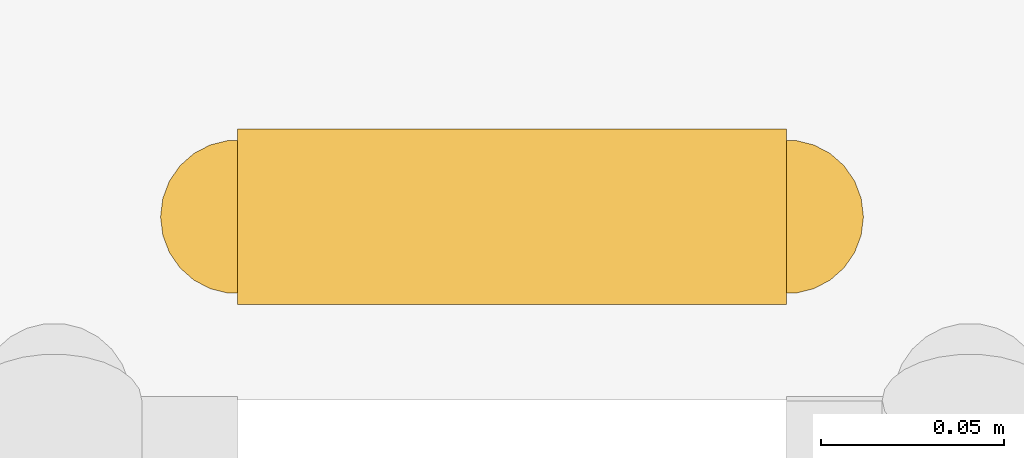
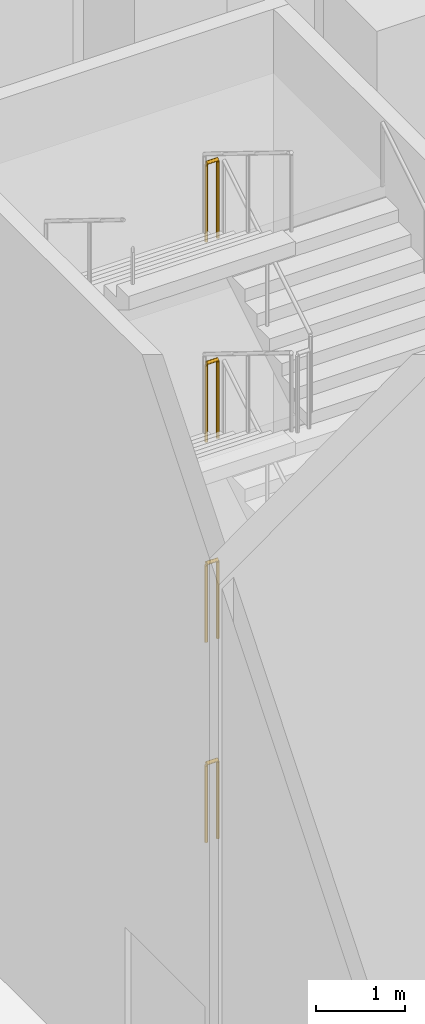
# One storey, part 31 of 31: 4 railings.
"""IFC4 building model written with IfcOpenShell, lengths in metres."""

from ifc_helpers import new_model, si_unit, direction, frame, origin, origin_2d, place, context, subcontext, project, spatial, circle, extrude, material, type_object, element, save


model = new_model("IFC4")

# Units and contexts
model_context = context("Model", 3, precision=1e-05, world=origin(), true_north=direction((0.0, 1.0)))
body_context = subcontext(model_context, "Body", "Model", "MODEL_VIEW")
ifc_project = project(units=[si_unit("LENGTHUNIT", "METRE"), si_unit("AREAUNIT", "SQUARE_METRE"), si_unit("VOLUMEUNIT", "CUBIC_METRE"), si_unit("PLANEANGLEUNIT", "RADIAN"), si_unit("MASSUNIT", "GRAM", prefix="KILO")], contexts=[model_context])

# Site, building, storey
site_placement = place(None, origin())
site = spatial("IfcSite", under=ifc_project, at=site_placement, CompositionType="ELEMENT")
building_placement = place(site_placement, origin())
building = spatial("IfcBuilding", under=site, at=building_placement, Name="Calabash Gate Tower", CompositionType="ELEMENT")
storey_placement = place(building_placement, frame((0.0, 0.0, 9.0)))
storey = spatial("IfcBuildingStorey", under=building, at=storey_placement, Name="L01", CompositionType="ELEMENT", Elevation=9.0)

# Railings
ifc_material = material(Name="Black powder-coated steel balusters", Category="steel")
railing_type = type_object("IfcRailingType", Name="Stair guard RL1100", PredefinedType="GUARDRAIL", material=ifc_material)
for number, where, name in (
    (1, (36.010009765625, 18.1630859375, 1.375), "L01 PS10 stair guard 2"),
    (2, (36.010009765625, 18.1630859375, 4.125), "L01 PS10 stair guard 6"),
    (3, (36.010009765625, 18.1630859375, 6.875), "L01 PS10 stair guard 10"),
    (4, (36.010009765625, 18.1630859375, 9.625), "L01 PS10 stair guard 14"),
):
    element("IfcRailing", number, at=place(storey_placement, frame(where)), inside=storey, type_object=railing_type, Name=name, PredefinedType="GUARDRAIL", context=body_context, shape_type="SweptSolid", body=[
        extrude(circle(Radius=0.02392578125, at=origin_2d()), frame((0.0, 0.0, 1.076171875), z_axis=(-1.0, 0.0, 0.0), x_axis=(0.0, -1.0, 0.0)), (0.0, 0.0, 1.0), 0.14990234375),
        extrude(circle(Radius=0.02099609375, at=origin_2d()), origin(), (0.0, 0.0, 1.0), 1.052001953125),
        extrude(circle(Radius=0.02099609375, at=origin_2d()), frame((-0.14990234375, 0.0, 0.0)), (0.0, 0.0, 1.0), 1.052001953125),
    ])

save(model, "model.ifc")
